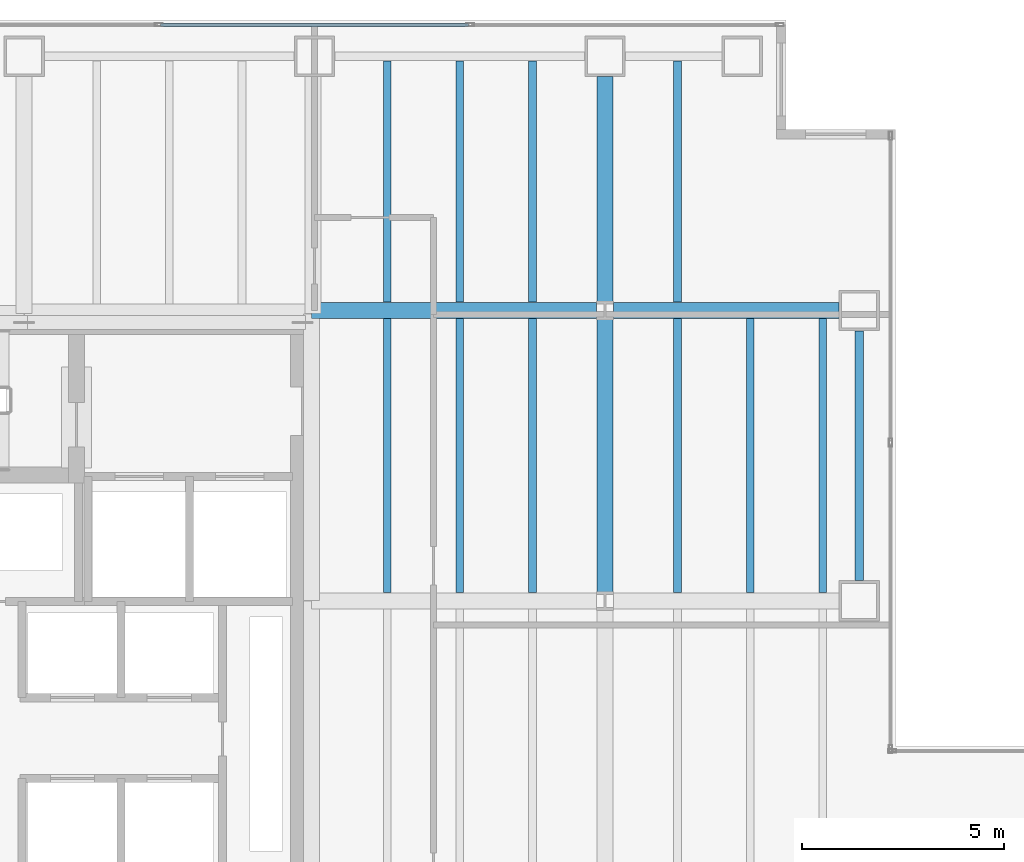
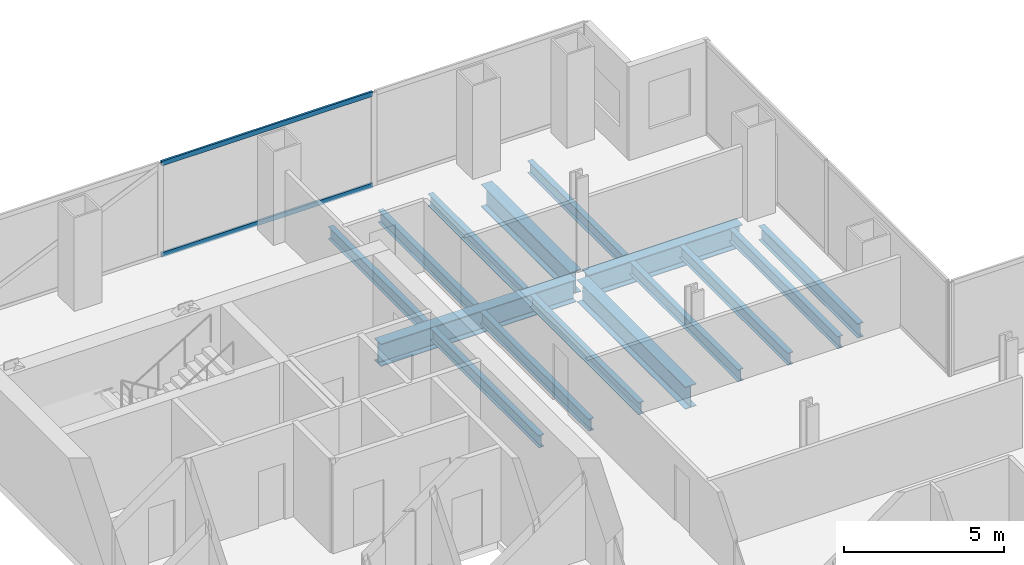
# One storey, part 17 of 23: 15 beams, 2 members, 1 element without a shape of its own.
"""IFC4 building model written with IfcOpenShell, lengths in metres."""

from ifc_helpers import new_model, si_unit, direction, frame, origin, origin_2d, place, context, subcontext, project, spatial, hollow_rectangle, i_section, extrude, material, material_profile, profile_set, type_object, element, aggregate, save


model = new_model("IFC4")

# Units and contexts
model_context = context("Model", 3, precision=1e-05, world=origin(), true_north=direction((0.0, 1.0)))
body_context = subcontext(model_context, "Body", "Model", "MODEL_VIEW")
ifc_project = project(units=[si_unit("LENGTHUNIT", "METRE"), si_unit("AREAUNIT", "SQUARE_METRE"), si_unit("VOLUMEUNIT", "CUBIC_METRE"), si_unit("PLANEANGLEUNIT", "RADIAN"), si_unit("MASSUNIT", "GRAM", prefix="KILO")], contexts=[model_context])

# Site, building, storey
site_placement = place(None, origin())
site = spatial("IfcSite", under=ifc_project, at=site_placement, CompositionType="ELEMENT")
building_placement = place(site_placement, origin())
building = spatial("IfcBuilding", under=site, at=building_placement, Name="Cobrela Telecom Tower", CompositionType="ELEMENT")
storey_placement = place(building_placement, frame((0.0, 0.0, 65.800048828125)))
storey = spatial("IfcBuildingStorey", under=building, at=storey_placement, Name="L16", CompositionType="ELEMENT", Elevation=65.800048828125)

# Beams
ifc_material_1 = material(Name="Steel ASTM A992 Grade 50", Category="steel")
ifc_material_profile_1 = material_profile(ifc_material_1, i_section(OverallWidth=0.39892578125, OverallDepth=0.85595703125, WebThickness=0.018310546875, FlangeThickness=0.029296875, FilletRadius=0.02001953125, at=origin_2d()), Name="W33X201")
ifc_profile_set_1 = profile_set([ifc_material_profile_1], Name="Steel ASTM A992 Grade 50")
beam_type_1 = type_object("IfcBeamType", Name="BM-GIRD-03", PredefinedType="USERDEFINED", material=ifc_profile_set_1)
beam_1_placement = place(storey_placement, frame((14.324951171875, 36.0, -0.7080078125), z_axis=(1.0, 0.0, 0.0), x_axis=(0.0, 1.0, 0.0)))
element("IfcBeam", 1, at=beam_1_placement, inside=storey, type_object=beam_type_1, Name="L16 Primary Girder X27", ObjectType="GIRDER", PredefinedType="USERDEFINED", context=body_context, shape_type="SweptSolid", body=[
    extrude(i_section(OverallWidth=0.39892578125, OverallDepth=0.85595703125, WebThickness=0.018310546875, FlangeThickness=0.029296875, FilletRadius=0.02001953125, at=origin_2d()), origin(), (0.0, 0.0, 1.0), 7.05908203125),
])
beam_2_placement = place(storey_placement, frame((21.81591796875, 36.0, -0.7080078125), z_axis=(1.0, 0.0, 0.0), x_axis=(0.0, 1.0, 0.0)))
element("IfcBeam", 2, at=beam_2_placement, inside=storey, type_object=beam_type_1, Name="L16 Primary Girder X28", ObjectType="GIRDER", PredefinedType="USERDEFINED", context=body_context, shape_type="SweptSolid", body=[
    extrude(i_section(OverallWidth=0.39892578125, OverallDepth=0.85595703125, WebThickness=0.018310546875, FlangeThickness=0.029296875, FilletRadius=0.02001953125, at=origin_2d()), origin(), (0.0, 0.0, 1.0), 5.5791015625),
])
beam_3_placement = place(storey_placement, frame((21.60009765625, 29.01611328125, -0.7080078125), z_axis=(0.0, 1.0, 0.0), x_axis=(-1.0, 0.0, 0.0)))
element("IfcBeam", 3, at=beam_3_placement, inside=storey, type_object=beam_type_1, Name="L16 Primary Girder Y44", ObjectType="GIRDER", PredefinedType="USERDEFINED", context=body_context, shape_type="SweptSolid", body=[
    extrude(i_section(OverallWidth=0.39892578125, OverallDepth=0.85595703125, WebThickness=0.018310546875, FlangeThickness=0.029296875, FilletRadius=0.02001953125, at=origin_2d()), origin(), (0.0, 0.0, 1.0), 6.767822265625),
])
beam_4_placement = place(storey_placement, frame((21.60009765625, 36.216064453125, -0.7080078125), z_axis=(0.0, 1.0, 0.0), x_axis=(-1.0, 0.0, 0.0)))
element("IfcBeam", 4, at=beam_4_placement, inside=storey, type_object=beam_type_1, Name="L16 Primary Girder Y45", ObjectType="GIRDER", PredefinedType="USERDEFINED", context=body_context, shape_type="SweptSolid", body=[
    extrude(i_section(OverallWidth=0.39892578125, OverallDepth=0.85595703125, WebThickness=0.018310546875, FlangeThickness=0.029296875, FilletRadius=0.02001953125, at=origin_2d()), origin(), (0.0, 0.0, 1.0), 5.578857421875),
])
ifc_material_profile_2 = material_profile(ifc_material_1, i_section(OverallWidth=0.193115234375, OverallDepth=0.467041015625, WebThickness=0.011474609375, FlangeThickness=0.01904296875, FilletRadius=0.012939453125, at=origin_2d()), Name="W18X65")
ifc_profile_set_2 = profile_set([ifc_material_profile_2], Name="Steel ASTM A992 Grade 50")
beam_type_2 = type_object("IfcBeamType", Name="BM-JOIST-03", PredefinedType="JOIST", material=ifc_profile_set_2)
beam_5_placement = place(storey_placement, frame((16.199951171875, 29.00439453125, -0.513427734375), z_axis=(0.0, 1.0, 0.0), x_axis=(-1.0, 0.0, 0.0)))
element("IfcBeam", 5, at=beam_5_placement, inside=storey, type_object=beam_type_2, Name="L16 Secondary Composite Floor Beam J11", PredefinedType="JOIST", context=body_context, shape_type="SweptSolid", body=[
    extrude(i_section(OverallWidth=0.193115234375, OverallDepth=0.467041015625, WebThickness=0.011474609375, FlangeThickness=0.01904296875, FilletRadius=0.012939453125, at=origin_2d()), origin(), (0.0, 0.0, 1.0), 6.791015625),
])
beam_6_placement = place(storey_placement, frame((16.199951171875, 36.20458984375, -0.513427734375), z_axis=(0.0, 1.0, 0.0), x_axis=(-1.0, 0.0, 0.0)))
element("IfcBeam", 6, at=beam_6_placement, inside=storey, type_object=beam_type_2, Name="L16 Secondary Composite Floor Beam J12", PredefinedType="JOIST", context=body_context, shape_type="SweptSolid", body=[
    extrude(i_section(OverallWidth=0.193115234375, OverallDepth=0.467041015625, WebThickness=0.011474609375, FlangeThickness=0.01904296875, FilletRadius=0.012939453125, at=origin_2d()), origin(), (0.0, 0.0, 1.0), 5.98388671875),
])
beam_7_placement = place(storey_placement, frame((18.0, 29.00439453125, -0.513427734375), z_axis=(0.0, 1.0, 0.0), x_axis=(-1.0, 0.0, 0.0)))
element("IfcBeam", 7, at=beam_7_placement, inside=storey, type_object=beam_type_2, Name="L16 Secondary Composite Floor Beam J17", PredefinedType="JOIST", context=body_context, shape_type="SweptSolid", body=[
    extrude(i_section(OverallWidth=0.193115234375, OverallDepth=0.467041015625, WebThickness=0.011474609375, FlangeThickness=0.01904296875, FilletRadius=0.012939453125, at=origin_2d()), origin(), (0.0, 0.0, 1.0), 6.791015625),
])
beam_8_placement = place(storey_placement, frame((18.0, 36.20458984375, -0.513427734375), z_axis=(0.0, 1.0, 0.0), x_axis=(-1.0, 0.0, 0.0)))
element("IfcBeam", 8, at=beam_8_placement, inside=storey, type_object=beam_type_2, Name="L16 Secondary Composite Floor Beam J18", PredefinedType="JOIST", context=body_context, shape_type="SweptSolid", body=[
    extrude(i_section(OverallWidth=0.193115234375, OverallDepth=0.467041015625, WebThickness=0.011474609375, FlangeThickness=0.01904296875, FilletRadius=0.012939453125, at=origin_2d()), origin(), (0.0, 0.0, 1.0), 5.98388671875),
])
beam_9_placement = place(storey_placement, frame((19.800048828125, 29.00439453125, -0.513427734375), z_axis=(0.0, 1.0, 0.0), x_axis=(-1.0, 0.0, 0.0)))
element("IfcBeam", 9, at=beam_9_placement, inside=storey, type_object=beam_type_2, Name="L16 Secondary Composite Floor Beam J23", PredefinedType="JOIST", context=body_context, shape_type="SweptSolid", body=[
    extrude(i_section(OverallWidth=0.193115234375, OverallDepth=0.467041015625, WebThickness=0.011474609375, FlangeThickness=0.01904296875, FilletRadius=0.012939453125, at=origin_2d()), origin(), (0.0, 0.0, 1.0), 6.791015625),
])
beam_10_placement = place(storey_placement, frame((19.800048828125, 36.20458984375, -0.513427734375), z_axis=(0.0, 1.0, 0.0), x_axis=(-1.0, 0.0, 0.0)))
element("IfcBeam", 10, at=beam_10_placement, inside=storey, type_object=beam_type_2, Name="L16 Secondary Composite Floor Beam J24", PredefinedType="JOIST", context=body_context, shape_type="SweptSolid", body=[
    extrude(i_section(OverallWidth=0.193115234375, OverallDepth=0.467041015625, WebThickness=0.011474609375, FlangeThickness=0.01904296875, FilletRadius=0.012939453125, at=origin_2d()), origin(), (0.0, 0.0, 1.0), 5.98388671875),
])
beam_11_placement = place(storey_placement, frame((23.39990234375, 29.00439453125, -0.513427734375), z_axis=(0.0, 1.0, 0.0), x_axis=(-1.0, 0.0, 0.0)))
element("IfcBeam", 11, at=beam_11_placement, inside=storey, type_object=beam_type_2, Name="L16 Secondary Composite Floor Beam J29", PredefinedType="JOIST", context=body_context, shape_type="SweptSolid", body=[
    extrude(i_section(OverallWidth=0.193115234375, OverallDepth=0.467041015625, WebThickness=0.011474609375, FlangeThickness=0.01904296875, FilletRadius=0.012939453125, at=origin_2d()), origin(), (0.0, 0.0, 1.0), 6.791015625),
])
beam_12_placement = place(storey_placement, frame((23.39990234375, 36.20458984375, -0.513427734375), z_axis=(0.0, 1.0, 0.0), x_axis=(-1.0, 0.0, 0.0)))
element("IfcBeam", 12, at=beam_12_placement, inside=storey, type_object=beam_type_2, Name="L16 Secondary Composite Floor Beam J30", PredefinedType="JOIST", context=body_context, shape_type="SweptSolid", body=[
    extrude(i_section(OverallWidth=0.193115234375, OverallDepth=0.467041015625, WebThickness=0.011474609375, FlangeThickness=0.01904296875, FilletRadius=0.012939453125, at=origin_2d()), origin(), (0.0, 0.0, 1.0), 5.98388671875),
])
for number, where, z_axis, x_axis, name in (
    (13, (25.199951171875, 29.00439453125, -0.513427734375), (0.0, 1.0, 0.0), (-1.0, 0.0, 0.0), "L16 Secondary Composite Floor Beam J35"),
    (14, (27.0, 29.00439453125, -0.513427734375), (0.0, 1.0, 0.0), (-1.0, 0.0, 0.0), "L16 Secondary Composite Floor Beam J40"),
):
    element("IfcBeam", number, at=place(storey_placement, frame(where, z_axis=z_axis, x_axis=x_axis)), inside=storey, type_object=beam_type_2, Name=name, PredefinedType="JOIST", context=body_context, shape_type="SweptSolid", body=[
        extrude(i_section(OverallWidth=0.193115234375, OverallDepth=0.467041015625, WebThickness=0.011474609375, FlangeThickness=0.01904296875, FilletRadius=0.012939453125, at=origin_2d()), origin(), (0.0, 0.0, 1.0), 6.791015625),
    ])
ifc_material_profile_3 = material_profile(ifc_material_1, i_section(OverallWidth=0.212890625, OverallDepth=0.549072265625, WebThickness=0.0146484375, FlangeThickness=0.023681640625, FilletRadius=0.013916015625, at=origin_2d()), Name="W21X93")
ifc_profile_set_3 = profile_set([ifc_material_profile_3], Name="Steel ASTM A992 Grade 50")
beam_type_3 = type_object("IfcBeamType", Name="BM-SPAND-03", PredefinedType="SPANDREL", material=ifc_profile_set_3)
beam_13_placement = place(storey_placement, frame((27.89990234375, 29.304931640625, -0.554443359375), z_axis=(0.0, 1.0, 0.0), x_axis=(-1.0, 0.0, 0.0)))
element("IfcBeam", 15, at=beam_13_placement, inside=storey, type_object=beam_type_3, Name="L16 Perimeter Spandrel Y46", PredefinedType="SPANDREL", context=body_context, shape_type="SweptSolid", body=[
    extrude(i_section(OverallWidth=0.212890625, OverallDepth=0.549072265625, WebThickness=0.0146484375, FlangeThickness=0.023681640625, FilletRadius=0.013916015625, at=origin_2d()), origin(), (0.0, 0.0, 1.0), 6.190185546875),
])

# Curtain wall, members
ifc_material_2 = material(Name="Anodized Bronze Aluminium 6063-T6", Category="aluminium")
curtain_wall_type = type_object("IfcCurtainWallType", Name="CW-SYS-DATA", PredefinedType="USERDEFINED", material=ifc_material_2)
curtain_wall_placement = place(storey_placement, origin())
curtain_wall = element("IfcCurtainWall", 16, at=curtain_wall_placement, inside=storey, type_object=curtain_wall_type, Name="L16 Unitised Bronze Curtain Wall 07", ObjectType="UNITISED CURTAIN WALL", PredefinedType="USERDEFINED")
ifc_material_profile_4 = material_profile(ifc_material_2, hollow_rectangle(XDim=0.074951171875, YDim=0.179931640625, WallThickness=0.00390625, at=origin_2d()), Name="ALU 75x180x4")
ifc_profile_set_4 = profile_set([ifc_material_profile_4], Name="Anodized Bronze Aluminium 6063-T6")
member_type = type_object("IfcMemberType", Name="CW-SYS-DATA-TRN", PredefinedType="USERDEFINED", material=ifc_profile_set_4)
member_1_placement = place(storey_placement, frame((10.583251953125, 43.080078125, 0.037353515625), z_axis=(1.0, 0.0, 0.0), x_axis=(0.0, 1.0, 0.0)))
member_1 = element("IfcMember", 17, at=member_1_placement, type_object=member_type, Name="CW-DATA transom 2.1", ObjectType="TRANSOM", PredefinedType="USERDEFINED", context=body_context, shape_type="SweptSolid", body=[
    extrude(hollow_rectangle(XDim=0.074951171875, YDim=0.179931640625, WallThickness=0.00390625, at=origin_2d()), origin(), (0.0, 0.0, 1.0), 7.63330078125),
])
member_2_placement = place(storey_placement, frame((10.583251953125, 43.080078125, 3.532470703125), z_axis=(1.0, 0.0, 0.0), x_axis=(0.0, 1.0, 0.0)))
member_2 = element("IfcMember", 18, at=member_2_placement, type_object=member_type, Name="CW-DATA transom 2.2", ObjectType="TRANSOM", PredefinedType="USERDEFINED", context=body_context, shape_type="SweptSolid", body=[
    extrude(hollow_rectangle(XDim=0.074951171875, YDim=0.179931640625, WallThickness=0.00390625, at=origin_2d()), origin(), (0.0, 0.0, 1.0), 7.63330078125),
])
aggregate(curtain_wall, [member_1, member_2])

save(model, "model.ifc")
